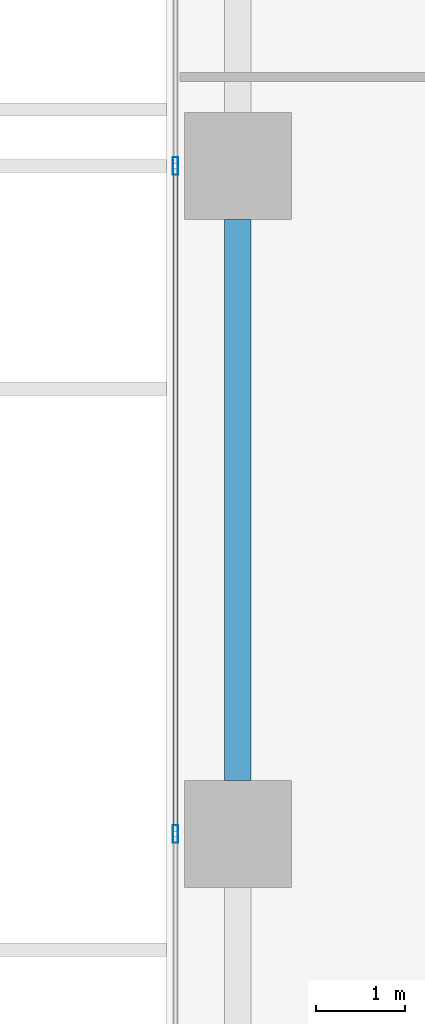
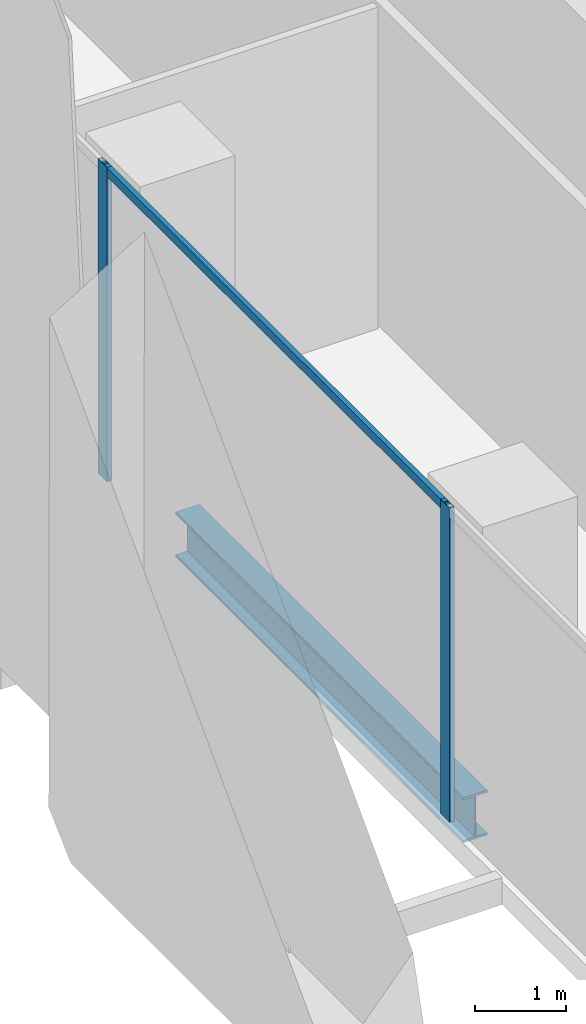
# One storey, part 5 of 34: 3 members, 1 beam, 1 element without a shape of its own.
"""IFC4 building model written with IfcOpenShell, lengths in metres."""

from ifc_helpers import new_model, si_unit, direction, frame, origin, origin_2d, place, context, subcontext, project, spatial, hollow_rectangle, i_section, extrude, source, transform, mapped, material, material_profile, profile_set, type_object, element, aggregate, save


model = new_model("IFC4")

# Units and contexts
model_context = context("Model", 3, precision=1e-05, world=origin(), true_north=direction((0.0, 1.0)))
body_context = subcontext(model_context, "Body", "Model", "MODEL_VIEW")
ifc_project = project(units=[si_unit("LENGTHUNIT", "METRE"), si_unit("AREAUNIT", "SQUARE_METRE"), si_unit("VOLUMEUNIT", "CUBIC_METRE"), si_unit("PLANEANGLEUNIT", "RADIAN"), si_unit("MASSUNIT", "GRAM", prefix="KILO")], contexts=[model_context])

# Site, building, storey
site_placement = place(None, origin())
site = spatial("IfcSite", under=ifc_project, at=site_placement, CompositionType="ELEMENT")
building_placement = place(site_placement, origin())
building = spatial("IfcBuilding", under=site, at=building_placement, Name="Khomas Fold Tower", CompositionType="ELEMENT")
storey_placement = place(building_placement, frame((0.0, 0.0, 73.5)))
storey = spatial("IfcBuildingStorey", under=building, at=storey_placement, Name="L15", CompositionType="ELEMENT", Elevation=73.5)

# Beam
ifc_material_1 = material(Name="Steel S355", Category="steel")
ifc_material_profile_1 = material_profile(ifc_material_1, i_section(OverallWidth=0.300048828125, OverallDepth=0.60009765625, WebThickness=0.015380859375, FlangeThickness=0.030029296875, at=origin_2d()), Name="HE 600 B")
ifc_profile_set_1 = profile_set([ifc_material_profile_1], Name="Steel S355")
beam_type = type_object("IfcBeamType", Name="HE 600 B spandrel SB1", PredefinedType="SPANDREL", material=ifc_profile_set_1)
shared_shape_1 = source(origin(), body_context, "Body", "SweptSolid", [
    extrude(i_section(OverallWidth=0.300048828125, OverallDepth=0.60009765625, WebThickness=0.015380859375, FlangeThickness=0.030029296875, at=origin_2d()), origin(), (0.0, 0.0, 1.0), 6.2998046875),
])
beam_placement = place(storey_placement, frame((0.800048828125, 20.10009765625, -0.60009765625), z_axis=(0.0, 1.0, 0.0), x_axis=(-1.0, 0.0, 0.0)))
element("IfcBeam", 1, at=beam_placement, inside=storey, type_object=beam_type, Name="SB1", PredefinedType="SPANDREL", context=body_context, shape_type="MappedRepresentation", body=[
    mapped(shared_shape_1, transform((0.0, 0.0, 0.0))),
])

# Curtain wall, members
ifc_material_2 = material(Name="Aluminium framed double glazing", Category="aluminium")
curtain_wall_type = type_object("IfcCurtainWallType", Name="SK-Unitised clear-glass wall, growing floors CW1", PredefinedType="NOTDEFINED", material=ifc_material_2)
curtain_wall_placement = place(storey_placement, origin())
curtain_wall = element("IfcCurtainWall", 2, at=curtain_wall_placement, inside=storey, type_object=curtain_wall_type, Name="CW1 run L15 09-0", PredefinedType="NOTDEFINED")
ifc_material_3 = material(Name="Aluminium", Category="aluminium")
ifc_material_profile_2 = material_profile(ifc_material_3, hollow_rectangle(XDim=0.06005859375, YDim=0.1201171875, WallThickness=0.00390625, at=origin_2d()), Name="SK-Unitised clear-glass wall, growing floors transom CW1-T")
ifc_profile_set_2 = profile_set([ifc_material_profile_2], Name="Aluminium")
member_type_1 = type_object("IfcMemberType", Name="SK-Unitised clear-glass wall, growing floors transom CW1-T", PredefinedType="USERDEFINED", material=ifc_profile_set_2)
shared_shape_2 = source(origin(), body_context, "Body", "SweptSolid", [
    extrude(hollow_rectangle(XDim=0.06005859375, YDim=0.1201171875, WallThickness=0.00390625, at=origin_2d()), origin(), (0.0, 0.0, 1.0), 7.43994140625),
])
member_1_placement = place(storey_placement, frame((0.10009765625, 26.969970703125, 4.139892578125), z_axis=(0.0, -1.0, 0.0), x_axis=(1.0, 0.0, 0.0)))
member_1 = element("IfcMember", 3, at=member_1_placement, type_object=member_type_1, Name="CW1 transom 5", ObjectType="TRANSOM", PredefinedType="USERDEFINED", context=body_context, shape_type="MappedRepresentation", body=[
    mapped(shared_shape_2, transform((0.0, 0.0, 0.0))),
])
ifc_material_4 = material(Name="Aluminium", Category="aluminium")
ifc_material_profile_3 = material_profile(ifc_material_4, hollow_rectangle(XDim=0.06005859375, YDim=0.199951171875, WallThickness=0.00390625, at=origin_2d()), Name="SK-Unitised clear-glass wall, growing floors mullion CW1-M")
ifc_profile_set_3 = profile_set([ifc_material_profile_3], Name="Aluminium")
member_type_2 = type_object("IfcMemberType", Name="SK-Unitised clear-glass wall, growing floors mullion CW1-M", PredefinedType="MULLION", material=ifc_profile_set_3)
shared_shape_3 = source(origin(), body_context, "Body", "SweptSolid", [
    extrude(hollow_rectangle(XDim=0.06005859375, YDim=0.199951171875, WallThickness=0.00390625, at=origin_2d()), origin(), (0.0, 0.0, 1.0), 4.199951171875),
])
member_2_placement = place(storey_placement, frame((0.10009765625, 27.0, 0.0), z_axis=(0.0, 0.0, 1.0), x_axis=(1.0, 0.0, 0.0)))
member_2 = element("IfcMember", 4, at=member_2_placement, type_object=member_type_2, Name="CW1 mullion 5", PredefinedType="MULLION", context=body_context, shape_type="MappedRepresentation", body=[
    mapped(shared_shape_3, transform((0.0, 0.0, 0.0))),
])
member_3_placement = place(storey_placement, frame((0.10009765625, 19.5, 0.0), z_axis=(0.0, 0.0, 1.0), x_axis=(1.0, 0.0, 0.0)))
member_3 = element("IfcMember", 5, at=member_3_placement, type_object=member_type_2, Name="CW1 mullion 6", PredefinedType="MULLION", context=body_context, shape_type="MappedRepresentation", body=[
    mapped(shared_shape_3, transform((0.0, 0.0, 0.0))),
])
aggregate(curtain_wall, [member_2, member_3, member_1])

save(model, "model.ifc")
